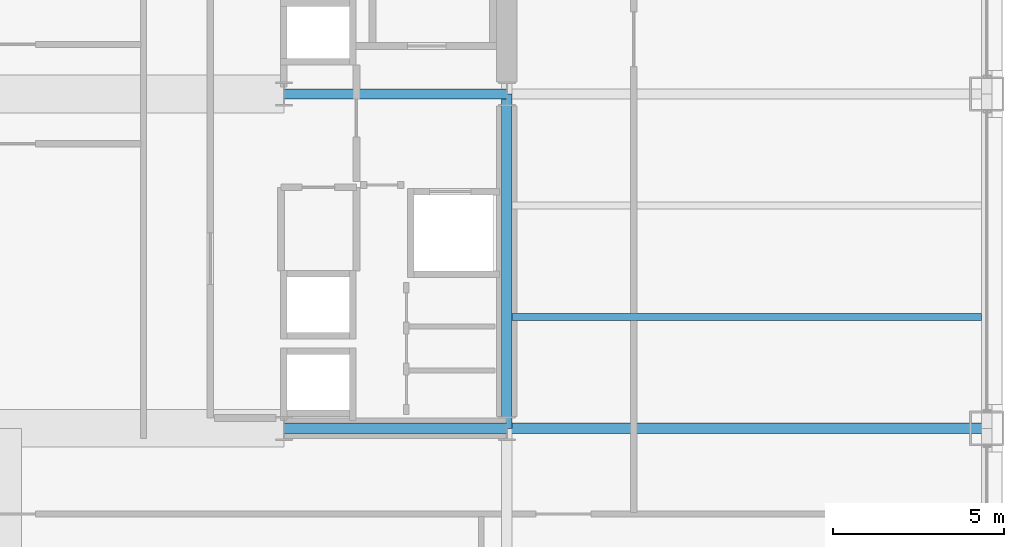
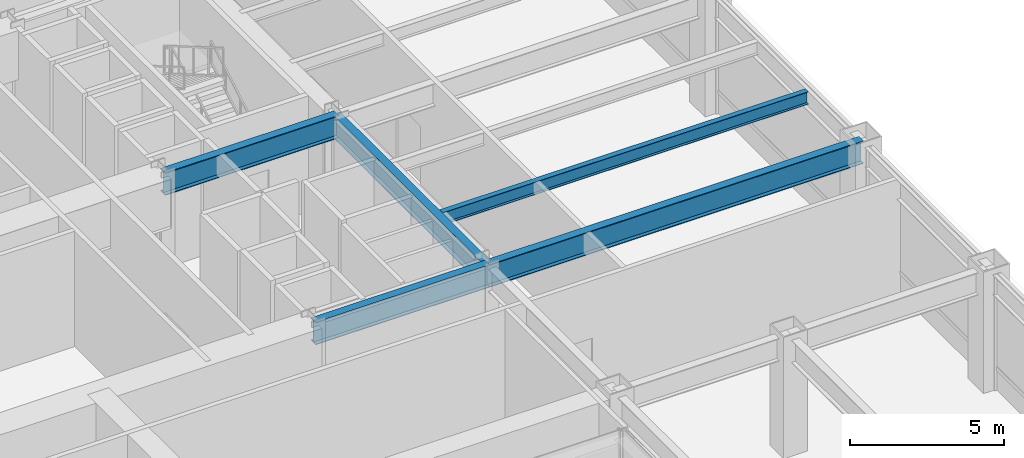
# One storey, part 12 of 37: 5 beams.
"""IFC4 building model written with IfcOpenShell, lengths in metres."""

from ifc_helpers import new_model, si_unit, direction, frame, origin, origin_2d, place, context, subcontext, project, spatial, i_section, extrude, material, material_profile, profile_set, type_object, element, save


model = new_model("IFC4")

# Units and contexts
model_context = context("Model", 3, precision=1e-05, world=origin(), true_north=direction((0.0, 1.0)))
body_context = subcontext(model_context, "Body", "Model", "MODEL_VIEW")
ifc_project = project(units=[si_unit("LENGTHUNIT", "METRE"), si_unit("AREAUNIT", "SQUARE_METRE"), si_unit("VOLUMEUNIT", "CUBIC_METRE"), si_unit("PLANEANGLEUNIT", "RADIAN"), si_unit("MASSUNIT", "GRAM", prefix="KILO")], contexts=[model_context])

# Site, building, storey
site_placement = place(None, origin())
site = spatial("IfcSite", under=ifc_project, at=site_placement, CompositionType="ELEMENT")
building_placement = place(site_placement, origin())
building = spatial("IfcBuilding", under=site, at=building_placement, Name="Brelmoor Portico Tower", CompositionType="ELEMENT")
storey_placement = place(building_placement, frame((0.0, 0.0, 14.39990234375)))
storey = spatial("IfcBuildingStorey", under=building, at=storey_placement, Name="L03", CompositionType="ELEMENT", Elevation=14.39990234375)

# Beams
ifc_material = material(Name="Steel Q355B", Category="steel")
ifc_material_profile_1 = material_profile(ifc_material, i_section(OverallWidth=0.199951171875, OverallDepth=0.5, WebThickness=0.010009765625, FlangeThickness=0.01611328125, at=origin_2d()), Name="HN 500x200x10x16")
ifc_profile_set_1 = profile_set([ifc_material_profile_1], Name="Steel Q355B")
beam_type_1 = type_object("IfcBeamType", Name="BM-JS-500", PredefinedType="JOIST", material=ifc_profile_set_1)
beam_1_placement = place(storey_placement, frame((14.699951171875, -6.5, 4.330078125), z_axis=(1.0, 0.0, 0.0), x_axis=(0.0, 1.0, 0.0)))
element("IfcBeam", 1, at=beam_1_placement, inside=storey, type_object=beam_type_1, Name="L03 Secondary Wing Joist JS-E05", PredefinedType="JOIST", context=body_context, shape_type="SweptSolid", body=[
    extrude(i_section(OverallWidth=0.199951171875, OverallDepth=0.5, WebThickness=0.010009765625, FlangeThickness=0.01611328125, at=origin_2d()), origin(), (0.0, 0.0, 1.0), 13.699951171875),
])
ifc_material_profile_2 = material_profile(ifc_material, i_section(OverallWidth=0.300048828125, OverallDepth=0.89990234375, WebThickness=0.01611328125, FlangeThickness=0.028076171875, at=origin_2d()), Name="HN 900x300x16x28")
ifc_profile_set_2 = profile_set([ifc_material_profile_2], Name="Steel Q355B")
beam_type_2 = type_object("IfcBeamType", Name="BM-PG-900", PredefinedType="BEAM", material=ifc_profile_set_2)
beam_2_placement = place(storey_placement, frame((14.550048828125, -9.75, 4.130126953125), z_axis=(0.0, 1.0, 0.0), x_axis=(-1.0, 0.0, 0.0)))
element("IfcBeam", 2, at=beam_2_placement, inside=storey, type_object=beam_type_2, Name="L03 Primary Floor Girder PG-14", PredefinedType="BEAM", context=body_context, shape_type="SweptSolid", body=[
    extrude(i_section(OverallWidth=0.300048828125, OverallDepth=0.89990234375, WebThickness=0.01611328125, FlangeThickness=0.028076171875, at=origin_2d()), origin(), (0.0, 0.0, 1.0), 9.75),
])
beam_3_placement = place(storey_placement, frame((8.050048828125, -9.75, 4.130126953125), z_axis=(1.0, 0.0, 0.0), x_axis=(0.0, 1.0, 0.0)))
element("IfcBeam", 3, at=beam_3_placement, inside=storey, type_object=beam_type_2, Name="L03 Primary Floor Girder PG-28", PredefinedType="BEAM", context=body_context, shape_type="SweptSolid", body=[
    extrude(i_section(OverallWidth=0.300048828125, OverallDepth=0.89990234375, WebThickness=0.01611328125, FlangeThickness=0.028076171875, at=origin_2d()), origin(), (0.0, 0.0, 1.0), 6.5),
])
beam_4_placement = place(storey_placement, frame((14.550048828125, -9.75, 4.130126953125), z_axis=(1.0, 0.0, 0.0), x_axis=(0.0, 1.0, 0.0)))
element("IfcBeam", 4, at=beam_4_placement, inside=storey, type_object=beam_type_2, Name="L03 Primary Floor Girder PG-29", PredefinedType="BEAM", context=body_context, shape_type="SweptSolid", body=[
    extrude(i_section(OverallWidth=0.300048828125, OverallDepth=0.89990234375, WebThickness=0.01611328125, FlangeThickness=0.028076171875, at=origin_2d()), origin(), (0.0, 0.0, 1.0), 14.0),
])
beam_5_placement = place(storey_placement, frame((8.050048828125, 0.0, 4.130126953125), z_axis=(1.0, 0.0, 0.0), x_axis=(0.0, 1.0, 0.0)))
element("IfcBeam", 5, at=beam_5_placement, inside=storey, type_object=beam_type_2, Name="L03 Primary Floor Girder PG-33", PredefinedType="BEAM", context=body_context, shape_type="SweptSolid", body=[
    extrude(i_section(OverallWidth=0.300048828125, OverallDepth=0.89990234375, WebThickness=0.01611328125, FlangeThickness=0.028076171875, at=origin_2d()), origin(), (0.0, 0.0, 1.0), 6.5),
])

save(model, "model.ifc")
